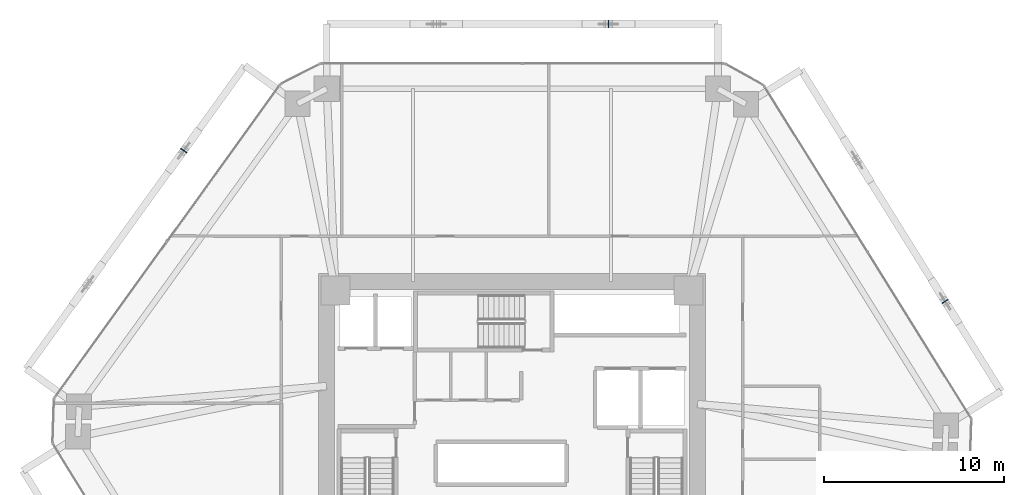
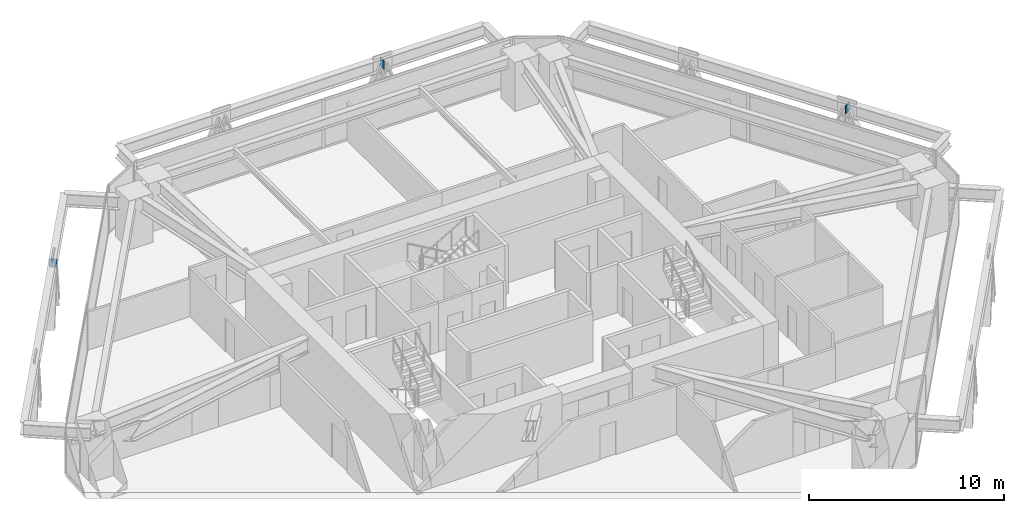
# One storey, part 12 of 17: 3 plates.
"""IFC4 building model written with IfcOpenShell, lengths in metres."""

import ifcopenshell
import ifcopenshell.guid

model = None  # the IFC model being written
_history = None  # IfcOwnerHistory: only IFC2X3 demands one
_inside = {}  # id of a spatial element -> (the spatial element, [elements in it])
_under = {}  # id of a project, library or spatial element -> (it, [spatial elements below it])
_declared = {}  # id of a project -> (the project, [libraries it declares])
_typed = {}  # id of a type object -> (the type object, [elements of that type])
_made_of = {}  # id of a material, layer set ... -> (it, [elements and type objects made of it])


def new_model(schema):
    """Start an empty IFC model of exactly this schema.

    Asked for "IFC4X3", IfcOpenShell would pick the latest addendum, in which some entities
    have other attributes; the version numbers below select the first issue.
    IFC2X3 requires an IfcOwnerHistory on every rooted entity: one is made here for all.
    """
    global model, _history
    if schema == "IFC4X3":
        model = ifcopenshell.file(schema_version=(4, 3, 0, 0))
    else:
        model = ifcopenshell.file(schema=schema)
    _inside.clear()
    _under.clear()
    _declared.clear()
    _typed.clear()
    _made_of.clear()
    _history = None
    if model.schema == "IFC2X3":
        org = make("IfcOrganization", Name="unknown")
        user = make(
            "IfcPersonAndOrganization",
            ThePerson=make("IfcPerson", FamilyName="unknown"),
            TheOrganization=org,
        )
        app = make(
            "IfcApplication",
            ApplicationDeveloper=org,
            Version="unknown",
            ApplicationFullName="unknown",
            ApplicationIdentifier="unknown",
        )
        _history = make(
            "IfcOwnerHistory",
            OwningUser=user,
            OwningApplication=app,
            ChangeAction="ADDED",
            CreationDate=0,
        )
    return model


def make(cls, **values):
    """One entity of the class cls with the attributes given. An attribute that is None is left unset."""
    return model.create_entity(
        cls, **{name: value for name, value in values.items() if value is not None}
    )


def rooted(cls, **values):
    """An entity with a GlobalId (a new one), such as an element, a storey or a relation."""
    return make(cls, GlobalId=ifcopenshell.guid.new(), OwnerHistory=_history, **values)


def si_unit(unit_type, name, prefix=None):
    """IfcSIUnit, for example si_unit("LENGTHUNIT", "METRE", prefix="MILLI")."""
    return make("IfcSIUnit", UnitType=unit_type, Prefix=prefix, Name=name)


def assignment(units):
    """IfcUnitAssignment: the units of a project."""
    return None if units is None else make("IfcUnitAssignment", Units=units)


def point(xyz):
    """IfcCartesianPoint."""
    return None if xyz is None else make("IfcCartesianPoint", Coordinates=xyz)


def direction(xyz):
    """IfcDirection."""
    return None if xyz is None else make("IfcDirection", DirectionRatios=xyz)


def frame(location, z_axis=None, x_axis=None):
    """IfcAxis2Placement3D, a coordinate frame: its origin and axes. An axis left out is left unset."""
    return make(
        "IfcAxis2Placement3D",
        Location=point(location),
        Axis=direction(z_axis),
        RefDirection=direction(x_axis),
    )


def frame_2d(location, x_axis=None):
    """IfcAxis2Placement2D, a coordinate frame in the plane: its origin and x axis."""
    return make(
        "IfcAxis2Placement2D", Location=point(location), RefDirection=direction(x_axis)
    )


def origin():
    """The frame at (0, 0, 0) with its axes left unset."""
    return frame((0.0, 0.0, 0.0))


def origin_2d():
    """The frame at (0, 0) in the plane with its x axis left unset."""
    return frame_2d((0.0, 0.0))


def place(relative_to, where):
    """IfcLocalPlacement: puts the frame where relative to a parent placement (None: the world)."""
    return make(
        "IfcLocalPlacement", PlacementRelTo=relative_to, RelativePlacement=where
    )


def context(
    kind, dimensions, precision=None, world=None, true_north=None, identifier=None
):
    """IfcGeometricRepresentationContext, for example the 3D "Model" context."""
    return make(
        "IfcGeometricRepresentationContext",
        ContextIdentifier=identifier,
        ContextType=kind,
        CoordinateSpaceDimension=dimensions,
        Precision=precision,
        WorldCoordinateSystem=world,
        TrueNorth=true_north,
    )


def subcontext(parent, identifier, kind, view, scale=None):
    """IfcGeometricRepresentationSubContext, for example "Body" below "Model"."""
    return make(
        "IfcGeometricRepresentationSubContext",
        ContextIdentifier=identifier,
        ContextType=kind,
        ParentContext=parent,
        TargetScale=scale,
        TargetView=view,
    )


def project(units=None, contexts=None):
    """IfcProject with its units and contexts."""
    return rooted(
        "IfcProject",
        Name="project",
        RepresentationContexts=contexts,
        UnitsInContext=assignment(units),
    )


def spatial(cls, under=None, at=None, **own):
    """A site, building, storey or space (cls), placed at a placement, below another one or the project."""
    s = rooted(cls, ObjectPlacement=at, **own)
    if under is not None:
        _under.setdefault(under.id(), (under, []))[1].append(s)
    return s


def profile(cls, at=None, kind="AREA", **sizes):
    """A parametric profile (cls). Its sizes go by their IFC names, for example OverallWidth=200.0."""
    return make(cls, ProfileType=kind, Position=at, **sizes)


def rectangle(**sizes):
    """IfcRectangleProfileDef."""
    return profile("IfcRectangleProfileDef", **sizes)


def extrude(swept, where, along, depth):
    """IfcExtrudedAreaSolid: the profile swept, set in the frame where, extruded along a direction by depth."""
    return make(
        "IfcExtrudedAreaSolid",
        SweptArea=swept,
        Position=where,
        ExtrudedDirection=direction(along),
        Depth=depth,
    )


def shape(context_of_items, identifier, shape_type, items):
    """IfcShapeRepresentation: the items that make up one representation, for example the "Body"."""
    return make(
        "IfcShapeRepresentation",
        ContextOfItems=context_of_items,
        RepresentationIdentifier=identifier,
        RepresentationType=shape_type,
        Items=items,
    )


def source(mapping_origin, context_of_items, identifier, shape_type, items):
    """IfcRepresentationMap: a shape defined once, which mapped items show again and again."""
    return make(
        "IfcRepresentationMap",
        MappingOrigin=mapping_origin,
        MappedRepresentation=shape(context_of_items, identifier, shape_type, items),
    )


def transform(
    local_origin,
    x_axis=None,
    y_axis=None,
    z_axis=None,
    scale=None,
    scale2=None,
    scale3=None,
    uniform=True,
):
    """IfcCartesianTransformationOperator3D, or its non-uniform kind. x_axis, y_axis, z_axis: its Axis1, 2, 3."""
    if uniform:
        return make(
            "IfcCartesianTransformationOperator3D",
            Axis1=direction(x_axis),
            Axis2=direction(y_axis),
            LocalOrigin=point(local_origin),
            Scale=scale,
            Axis3=direction(z_axis),
        )
    return make(
        "IfcCartesianTransformationOperator3DnonUniform",
        Axis1=direction(x_axis),
        Axis2=direction(y_axis),
        LocalOrigin=point(local_origin),
        Scale=scale,
        Axis3=direction(z_axis),
        Scale2=scale2,
        Scale3=scale3,
    )


def mapped(mapping_source, mapping_target):
    """IfcMappedItem: shows the shape of a source again, moved by a transform."""
    return make(
        "IfcMappedItem", MappingSource=mapping_source, MappingTarget=mapping_target
    )


def material(Name=None, Category=None):
    """IfcMaterial."""
    return make("IfcMaterial", Name=Name, Category=Category)


def layer(
    of_material, thickness, ventilated=None, Name=None, Category=None, Priority=None
):
    """IfcMaterialLayer: one layer of a wall or slab, of a material (None: an air gap)."""
    return make(
        "IfcMaterialLayer",
        Material=of_material,
        LayerThickness=thickness,
        IsVentilated=ventilated,
        Name=Name,
        Category=Category,
        Priority=Priority,
    )


def layer_set(layers, Name=None):
    """IfcMaterialLayerSet."""
    return make("IfcMaterialLayerSet", MaterialLayers=layers, LayerSetName=Name)


def made_of(thing, what):
    """Note that an element or type object is made of a material, layer set ...; save() writes the relation."""
    if what is not None:
        _made_of.setdefault(what.id(), (what, []))[1].append(thing)
    return thing


def type_object(cls, material=None, **own):
    """A type object (cls), such as IfcWallType, which elements share."""
    return made_of(rooted(cls, **own), material)


def type_shapes(of_type, sources):
    """Give a type object the sources (RepresentationMaps) that its elements show as mapped items."""
    of_type.RepresentationMaps = sources


def element(
    cls,
    number,
    at=None,
    inside=None,
    cuts=None,
    type_object=None,
    material=None,
    context=None,
    identifier="Body",
    shape_type=None,
    held_by="IfcProductDefinitionShape",
    body=None,
    shapes=None,
    **own,
):
    """One element of the class cls, such as IfcWall. Its Tag is "e" and its number.

    at: its placement. inside: the storey or other place that contains it. cuts: it is an
    opening in that element (IfcRelVoidsElement). A single representation is given by context,
    identifier, shape_type and body (its items); several are given by shapes. held_by: the class
    of the entity that holds the representations. save() writes the other relations.
    """
    e = rooted(cls, Tag="e%d" % number, ObjectPlacement=at, **own)
    if body is not None:
        shapes = [shape(context, identifier, shape_type, body)]
    if shapes is not None:
        e.Representation = make(held_by, Representations=shapes)
    if inside is not None:
        _inside.setdefault(inside.id(), (inside, []))[1].append(e)
    if cuts is not None:
        rooted(
            "IfcRelVoidsElement", RelatingBuildingElement=cuts, RelatedOpeningElement=e
        )
    if type_object is not None:
        _typed.setdefault(type_object.id(), (type_object, []))[1].append(e)
    return made_of(e, material)


def aggregate(whole, parts):
    """IfcRelAggregates: a whole, such as a stair, and the parts it consists of."""
    return rooted("IfcRelAggregates", RelatingObject=whole, RelatedObjects=parts)


def save(model, path):
    """Write the relations noted so far, then the file.

    IfcRelAggregates (storeys below a building ...), IfcRelContainedInSpatialStructure (elements
    in a storey), IfcRelDefinesByType, IfcRelAssociatesMaterial and IfcRelDeclares: one each for
    every whole, place, type object, material and project.
    """
    for whole, parts in _under.values():
        aggregate(whole, parts)
    for where, things in _inside.values():
        rooted(
            "IfcRelContainedInSpatialStructure",
            RelatedElements=things,
            RelatingStructure=where,
        )
    for kind, things in _typed.values():
        rooted("IfcRelDefinesByType", RelatedObjects=things, RelatingType=kind)
    for what, things in _made_of.values():
        rooted("IfcRelAssociatesMaterial", RelatedObjects=things, RelatingMaterial=what)
    for by, libraries in _declared.values():
        rooted("IfcRelDeclares", RelatingContext=by, RelatedDefinitions=libraries)
    model.write(path)


model = new_model("IFC4")

# Units and contexts
model_context = context("Model", 3, precision=1e-05, world=origin(), true_north=direction((0.0, 1.0)))
body_context = subcontext(model_context, "Body", "Model", "MODEL_VIEW")
ifc_project = project(units=[si_unit("LENGTHUNIT", "METRE"), si_unit("AREAUNIT", "SQUARE_METRE"), si_unit("VOLUMEUNIT", "CUBIC_METRE"), si_unit("PLANEANGLEUNIT", "RADIAN"), si_unit("MASSUNIT", "GRAM", prefix="KILO")], contexts=[model_context])

# Site, building, storey
site_placement = place(None, origin())
site = spatial("IfcSite", under=ifc_project, at=site_placement, CompositionType="ELEMENT")
building_placement = place(site_placement, origin())
building = spatial("IfcBuilding", under=site, at=building_placement, Name="Durnholm Broadcast Tower", CompositionType="ELEMENT")
storey_placement = place(building_placement, frame((0.0, 0.0, 52.199951171875)))
storey = spatial("IfcBuildingStorey", under=building, at=storey_placement, Name="L12", CompositionType="ELEMENT", Elevation=52.199951171875)

# Plates
ifc_material = material(Name="Steel ASTM A572 Grade 50", Category="steel")
ifc_layer = layer(ifc_material, 0.044921875)
ifc_layer_set = layer_set([ifc_layer], Name="Steel ASTM A572 Grade 50")
plate_type = type_object("IfcPlateType", Name="PLT-KN-STIF", PredefinedType="SHEET", material=ifc_layer_set)
shared_shape = source(origin(), body_context, "Body", "SweptSolid", [
    extrude(rectangle(XDim=0.044921875, YDim=0.419921875, at=origin_2d()), origin(), (0.0, 0.0, 1.0), 0.52001953125),
])
type_shapes(plate_type, [shared_shape])
for number, where, z_axis, x_axis, name in (
    (1, (24.036376953125, 7.197509765625, 2.048583984375), (0.0, 0.0, 1.0), (-0.528586500185, 0.848879444811, 0.0), "L12 welded diagrid node stiffener plate F3"),
    (2, (5.351318359375, 22.60009765625, 2.048583984375), (0.0, 0.0, 1.0), (-1.0, 0.0, 0.0), "L12 welded diagrid node stiffener plate F4"),
    (3, (-18.223388671875, 15.56396484375, 2.048583984375), (0.0, 0.0, 1.0), (-0.584816108738, -0.81116590101, 0.0), "L12 welded diagrid node stiffener plate F5"),
):
    element("IfcPlate", number, at=place(storey_placement, frame(where, z_axis=z_axis, x_axis=x_axis)), inside=storey, type_object=plate_type, Name=name, PredefinedType="SHEET", context=body_context, shape_type="MappedRepresentation", body=[
        mapped(shared_shape, transform((0.0, 0.0, 0.0), x_axis=(1.0, 0.0, 0.0), y_axis=(0.0, 1.0, 0.0), z_axis=(0.0, 0.0, 1.0), scale=1.0)),
    ])

save(model, "model.ifc")
